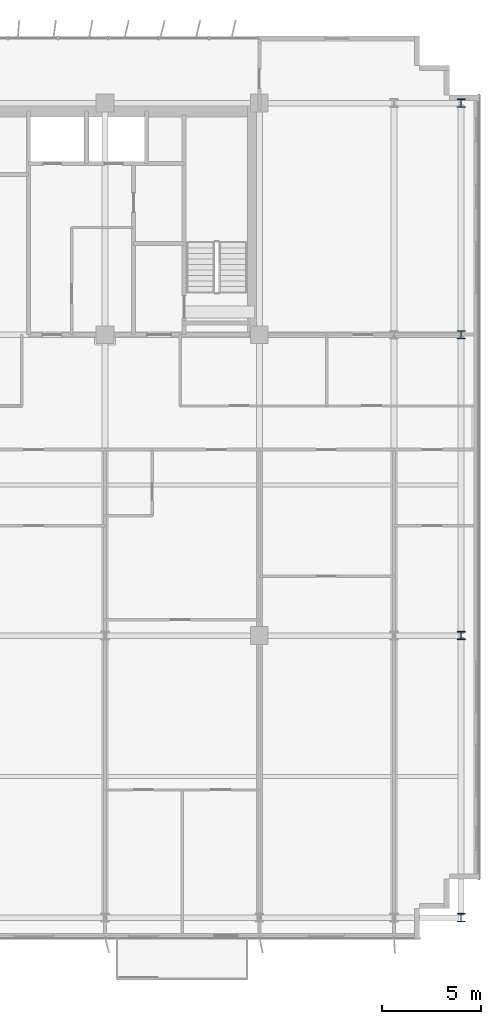
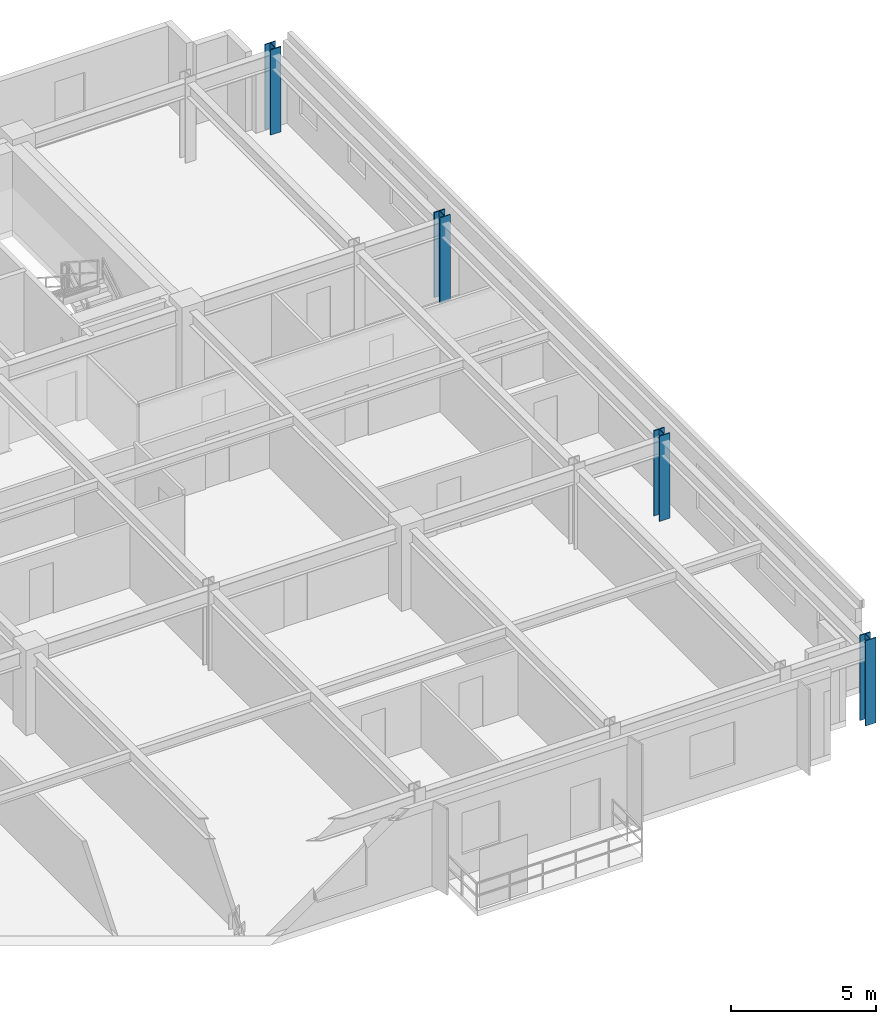
# One storey, part 3 of 22: 4 columns.
"""IFC4 building model written with IfcOpenShell, lengths in metres."""

import ifcopenshell
import ifcopenshell.guid

model = None  # the IFC model being written
_history = None  # IfcOwnerHistory: only IFC2X3 demands one
_inside = {}  # id of a spatial element -> (the spatial element, [elements in it])
_under = {}  # id of a project, library or spatial element -> (it, [spatial elements below it])
_declared = {}  # id of a project -> (the project, [libraries it declares])
_typed = {}  # id of a type object -> (the type object, [elements of that type])
_made_of = {}  # id of a material, layer set ... -> (it, [elements and type objects made of it])


def new_model(schema):
    """Start an empty IFC model of exactly this schema.

    Asked for "IFC4X3", IfcOpenShell would pick the latest addendum, in which some entities
    have other attributes; the version numbers below select the first issue.
    IFC2X3 requires an IfcOwnerHistory on every rooted entity: one is made here for all.
    """
    global model, _history
    if schema == "IFC4X3":
        model = ifcopenshell.file(schema_version=(4, 3, 0, 0))
    else:
        model = ifcopenshell.file(schema=schema)
    _inside.clear()
    _under.clear()
    _declared.clear()
    _typed.clear()
    _made_of.clear()
    _history = None
    if model.schema == "IFC2X3":
        org = make("IfcOrganization", Name="unknown")
        user = make(
            "IfcPersonAndOrganization",
            ThePerson=make("IfcPerson", FamilyName="unknown"),
            TheOrganization=org,
        )
        app = make(
            "IfcApplication",
            ApplicationDeveloper=org,
            Version="unknown",
            ApplicationFullName="unknown",
            ApplicationIdentifier="unknown",
        )
        _history = make(
            "IfcOwnerHistory",
            OwningUser=user,
            OwningApplication=app,
            ChangeAction="ADDED",
            CreationDate=0,
        )
    return model


def make(cls, **values):
    """One entity of the class cls with the attributes given. An attribute that is None is left unset."""
    return model.create_entity(
        cls, **{name: value for name, value in values.items() if value is not None}
    )


def rooted(cls, **values):
    """An entity with a GlobalId (a new one), such as an element, a storey or a relation."""
    return make(cls, GlobalId=ifcopenshell.guid.new(), OwnerHistory=_history, **values)


def si_unit(unit_type, name, prefix=None):
    """IfcSIUnit, for example si_unit("LENGTHUNIT", "METRE", prefix="MILLI")."""
    return make("IfcSIUnit", UnitType=unit_type, Prefix=prefix, Name=name)


def assignment(units):
    """IfcUnitAssignment: the units of a project."""
    return None if units is None else make("IfcUnitAssignment", Units=units)


def point(xyz):
    """IfcCartesianPoint."""
    return None if xyz is None else make("IfcCartesianPoint", Coordinates=xyz)


def direction(xyz):
    """IfcDirection."""
    return None if xyz is None else make("IfcDirection", DirectionRatios=xyz)


def frame(location, z_axis=None, x_axis=None):
    """IfcAxis2Placement3D, a coordinate frame: its origin and axes. An axis left out is left unset."""
    return make(
        "IfcAxis2Placement3D",
        Location=point(location),
        Axis=direction(z_axis),
        RefDirection=direction(x_axis),
    )


def frame_2d(location, x_axis=None):
    """IfcAxis2Placement2D, a coordinate frame in the plane: its origin and x axis."""
    return make(
        "IfcAxis2Placement2D", Location=point(location), RefDirection=direction(x_axis)
    )


def origin():
    """The frame at (0, 0, 0) with its axes left unset."""
    return frame((0.0, 0.0, 0.0))


def origin_2d():
    """The frame at (0, 0) in the plane with its x axis left unset."""
    return frame_2d((0.0, 0.0))


def place(relative_to, where):
    """IfcLocalPlacement: puts the frame where relative to a parent placement (None: the world)."""
    return make(
        "IfcLocalPlacement", PlacementRelTo=relative_to, RelativePlacement=where
    )


def context(
    kind, dimensions, precision=None, world=None, true_north=None, identifier=None
):
    """IfcGeometricRepresentationContext, for example the 3D "Model" context."""
    return make(
        "IfcGeometricRepresentationContext",
        ContextIdentifier=identifier,
        ContextType=kind,
        CoordinateSpaceDimension=dimensions,
        Precision=precision,
        WorldCoordinateSystem=world,
        TrueNorth=true_north,
    )


def subcontext(parent, identifier, kind, view, scale=None):
    """IfcGeometricRepresentationSubContext, for example "Body" below "Model"."""
    return make(
        "IfcGeometricRepresentationSubContext",
        ContextIdentifier=identifier,
        ContextType=kind,
        ParentContext=parent,
        TargetScale=scale,
        TargetView=view,
    )


def project(units=None, contexts=None):
    """IfcProject with its units and contexts."""
    return rooted(
        "IfcProject",
        Name="project",
        RepresentationContexts=contexts,
        UnitsInContext=assignment(units),
    )


def spatial(cls, under=None, at=None, **own):
    """A site, building, storey or space (cls), placed at a placement, below another one or the project."""
    s = rooted(cls, ObjectPlacement=at, **own)
    if under is not None:
        _under.setdefault(under.id(), (under, []))[1].append(s)
    return s


def profile(cls, at=None, kind="AREA", **sizes):
    """A parametric profile (cls). Its sizes go by their IFC names, for example OverallWidth=200.0."""
    return make(cls, ProfileType=kind, Position=at, **sizes)


def i_section(**sizes):
    """IfcIShapeProfileDef."""
    return profile("IfcIShapeProfileDef", **sizes)


def extrude(swept, where, along, depth):
    """IfcExtrudedAreaSolid: the profile swept, set in the frame where, extruded along a direction by depth."""
    return make(
        "IfcExtrudedAreaSolid",
        SweptArea=swept,
        Position=where,
        ExtrudedDirection=direction(along),
        Depth=depth,
    )


def shape(context_of_items, identifier, shape_type, items):
    """IfcShapeRepresentation: the items that make up one representation, for example the "Body"."""
    return make(
        "IfcShapeRepresentation",
        ContextOfItems=context_of_items,
        RepresentationIdentifier=identifier,
        RepresentationType=shape_type,
        Items=items,
    )


def source(mapping_origin, context_of_items, identifier, shape_type, items):
    """IfcRepresentationMap: a shape defined once, which mapped items show again and again."""
    return make(
        "IfcRepresentationMap",
        MappingOrigin=mapping_origin,
        MappedRepresentation=shape(context_of_items, identifier, shape_type, items),
    )


def transform(
    local_origin,
    x_axis=None,
    y_axis=None,
    z_axis=None,
    scale=None,
    scale2=None,
    scale3=None,
    uniform=True,
):
    """IfcCartesianTransformationOperator3D, or its non-uniform kind. x_axis, y_axis, z_axis: its Axis1, 2, 3."""
    if uniform:
        return make(
            "IfcCartesianTransformationOperator3D",
            Axis1=direction(x_axis),
            Axis2=direction(y_axis),
            LocalOrigin=point(local_origin),
            Scale=scale,
            Axis3=direction(z_axis),
        )
    return make(
        "IfcCartesianTransformationOperator3DnonUniform",
        Axis1=direction(x_axis),
        Axis2=direction(y_axis),
        LocalOrigin=point(local_origin),
        Scale=scale,
        Axis3=direction(z_axis),
        Scale2=scale2,
        Scale3=scale3,
    )


def mapped(mapping_source, mapping_target):
    """IfcMappedItem: shows the shape of a source again, moved by a transform."""
    return make(
        "IfcMappedItem", MappingSource=mapping_source, MappingTarget=mapping_target
    )


def material(Name=None, Category=None):
    """IfcMaterial."""
    return make("IfcMaterial", Name=Name, Category=Category)


def material_profile(
    of_material, cross_section, Name=None, Category=None, Priority=None
):
    """IfcMaterialProfile: a cross section and its material."""
    return make(
        "IfcMaterialProfile",
        Name=Name,
        Material=of_material,
        Profile=cross_section,
        Priority=Priority,
        Category=Category,
    )


def profile_set(profiles, Name=None, composite=None):
    """IfcMaterialProfileSet."""
    return make(
        "IfcMaterialProfileSet",
        Name=Name,
        MaterialProfiles=profiles,
        CompositeProfile=composite,
    )


def made_of(thing, what):
    """Note that an element or type object is made of a material, layer set ...; save() writes the relation."""
    if what is not None:
        _made_of.setdefault(what.id(), (what, []))[1].append(thing)
    return thing


def type_object(cls, material=None, **own):
    """A type object (cls), such as IfcWallType, which elements share."""
    return made_of(rooted(cls, **own), material)


def element(
    cls,
    number,
    at=None,
    inside=None,
    cuts=None,
    type_object=None,
    material=None,
    context=None,
    identifier="Body",
    shape_type=None,
    held_by="IfcProductDefinitionShape",
    body=None,
    shapes=None,
    **own,
):
    """One element of the class cls, such as IfcWall. Its Tag is "e" and its number.

    at: its placement. inside: the storey or other place that contains it. cuts: it is an
    opening in that element (IfcRelVoidsElement). A single representation is given by context,
    identifier, shape_type and body (its items); several are given by shapes. held_by: the class
    of the entity that holds the representations. save() writes the other relations.
    """
    e = rooted(cls, Tag="e%d" % number, ObjectPlacement=at, **own)
    if body is not None:
        shapes = [shape(context, identifier, shape_type, body)]
    if shapes is not None:
        e.Representation = make(held_by, Representations=shapes)
    if inside is not None:
        _inside.setdefault(inside.id(), (inside, []))[1].append(e)
    if cuts is not None:
        rooted(
            "IfcRelVoidsElement", RelatingBuildingElement=cuts, RelatedOpeningElement=e
        )
    if type_object is not None:
        _typed.setdefault(type_object.id(), (type_object, []))[1].append(e)
    return made_of(e, material)


def aggregate(whole, parts):
    """IfcRelAggregates: a whole, such as a stair, and the parts it consists of."""
    return rooted("IfcRelAggregates", RelatingObject=whole, RelatedObjects=parts)


def save(model, path):
    """Write the relations noted so far, then the file.

    IfcRelAggregates (storeys below a building ...), IfcRelContainedInSpatialStructure (elements
    in a storey), IfcRelDefinesByType, IfcRelAssociatesMaterial and IfcRelDeclares: one each for
    every whole, place, type object, material and project.
    """
    for whole, parts in _under.values():
        aggregate(whole, parts)
    for where, things in _inside.values():
        rooted(
            "IfcRelContainedInSpatialStructure",
            RelatedElements=things,
            RelatingStructure=where,
        )
    for kind, things in _typed.values():
        rooted("IfcRelDefinesByType", RelatedObjects=things, RelatingType=kind)
    for what, things in _made_of.values():
        rooted("IfcRelAssociatesMaterial", RelatedObjects=things, RelatingMaterial=what)
    for by, libraries in _declared.values():
        rooted("IfcRelDeclares", RelatingContext=by, RelatedDefinitions=libraries)
    model.write(path)


model = new_model("IFC4")

# Units and contexts
model_context = context("Model", 3, precision=1e-05, world=origin(), true_north=direction((0.0, 1.0)))
body_context = subcontext(model_context, "Body", "Model", "MODEL_VIEW")
ifc_project = project(units=[si_unit("LENGTHUNIT", "METRE"), si_unit("AREAUNIT", "SQUARE_METRE"), si_unit("VOLUMEUNIT", "CUBIC_METRE"), si_unit("PLANEANGLEUNIT", "RADIAN"), si_unit("MASSUNIT", "GRAM", prefix="KILO")], contexts=[model_context])

# Site, building, storey
site_placement = place(None, origin())
site = spatial("IfcSite", under=ifc_project, at=site_placement, CompositionType="ELEMENT")
building_placement = place(site_placement, origin())
building = spatial("IfcBuilding", under=site, at=building_placement, Name="Trelvane Seafront Commons", CompositionType="ELEMENT")
storey_placement = place(building_placement, frame((0.0, 0.0, 55.89990234375)))
storey = spatial("IfcBuildingStorey", under=building, at=storey_placement, Name="L14", CompositionType="ELEMENT", Elevation=55.89990234375)

# Columns
ifc_material = material(Name="Steel SM355 (S355)", Category="steel")
ifc_material_profile = material_profile(ifc_material, i_section(OverallWidth=0.419921875, OverallDepth=0.419921875, WebThickness=0.02587890625, FlangeThickness=0.0400390625, at=origin_2d()), Name="HD-420x420x26x40")
ifc_profile_set = profile_set([ifc_material_profile], Name="Steel SM355 (S355)")
column_type = type_object("IfcColumnType", Name="STR-COL-HD420", PredefinedType="COLUMN", material=ifc_profile_set)
shared_shape = source(origin(), body_context, "Body", "SweptSolid", [
    extrude(i_section(OverallWidth=0.419921875, OverallDepth=0.419921875, WebThickness=0.02587890625, FlangeThickness=0.0400390625, at=origin_2d()), origin(), (0.0, 0.0, 1.0), 3.60009765625),
])
for number, where, z_axis, x_axis, name in (
    (1, (69.0, 3.949951171875, 0.0), (0.0, 0.0, 1.0), (1.0, 0.0, 0.0), "L14 Column TC-S69.0"),
    (2, (69.0, 18.199951171875, 0.0), (0.0, 0.0, 1.0), (1.0, 0.0, 0.0), "L14 Column TC-M69.0"),
    (3, (69.0, 33.39990234375, 0.0), (0.0, 0.0, 1.0), (1.0, 0.0, 0.0), "L14 Column TC-CS69.0"),
    (4, (69.0, 45.10009765625, 0.0), (0.0, 0.0, 1.0), (1.0, 0.0, 0.0), "L14 Column TC-CN69.0"),
):
    element("IfcColumn", number, at=place(storey_placement, frame(where, z_axis=z_axis, x_axis=x_axis)), inside=storey, type_object=column_type, Name=name, PredefinedType="COLUMN", context=body_context, shape_type="MappedRepresentation", body=[
        mapped(shared_shape, transform((0.0, 0.0, 0.0), x_axis=(1.0, 0.0, 0.0), y_axis=(0.0, 1.0, 0.0), z_axis=(0.0, 0.0, 1.0), scale=1.0)),
    ])

save(model, "model.ifc")
